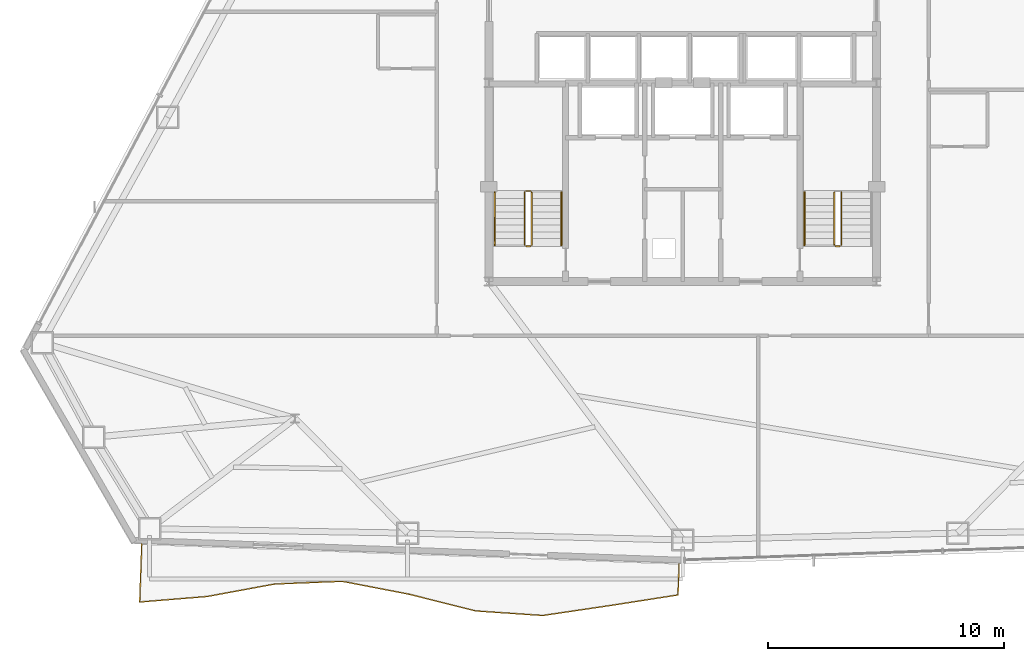
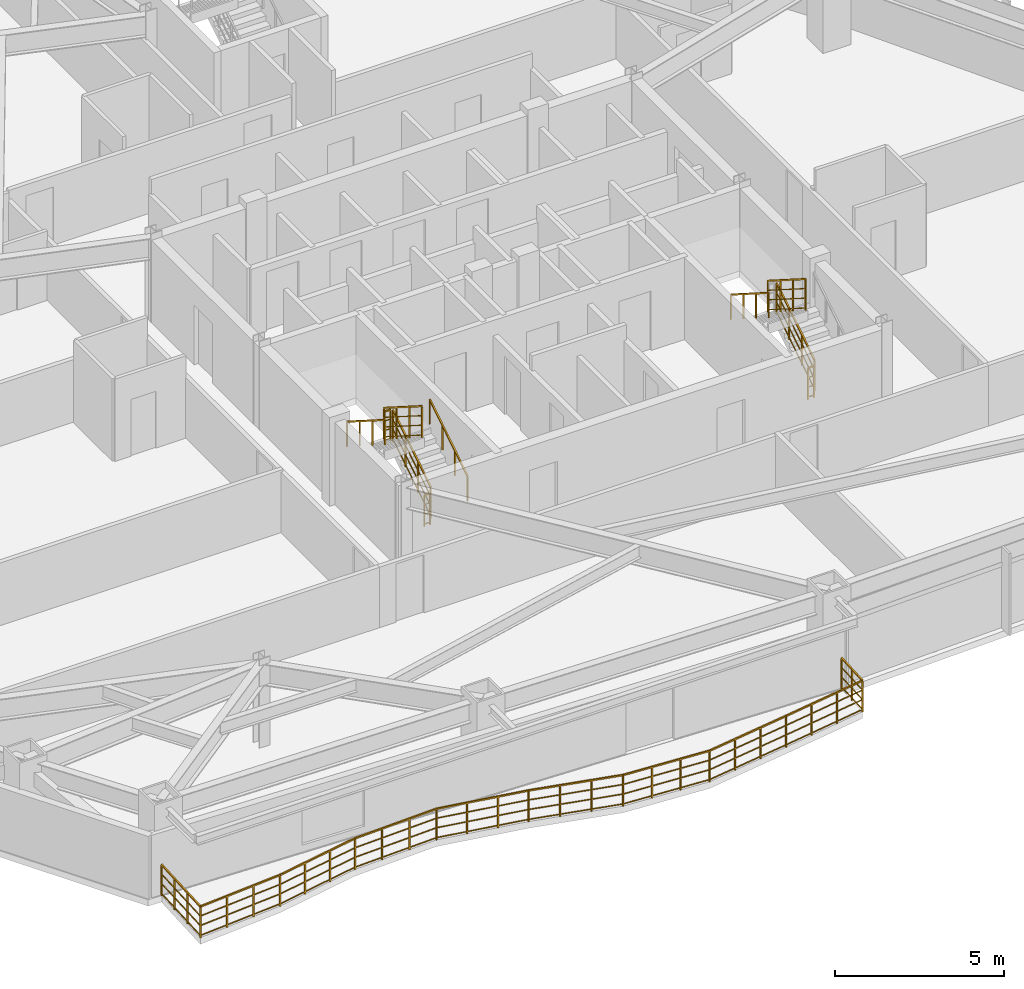
# One storey, part 12 of 13: 20 railings.
"""IFC4 building model written with IfcOpenShell, lengths in metres."""

import ifcopenshell
import ifcopenshell.guid

model = None  # the IFC model being written
_history = None  # IfcOwnerHistory: only IFC2X3 demands one
_inside = {}  # id of a spatial element -> (the spatial element, [elements in it])
_under = {}  # id of a project, library or spatial element -> (it, [spatial elements below it])
_declared = {}  # id of a project -> (the project, [libraries it declares])
_typed = {}  # id of a type object -> (the type object, [elements of that type])
_made_of = {}  # id of a material, layer set ... -> (it, [elements and type objects made of it])


def new_model(schema):
    """Start an empty IFC model of exactly this schema.

    Asked for "IFC4X3", IfcOpenShell would pick the latest addendum, in which some entities
    have other attributes; the version numbers below select the first issue.
    IFC2X3 requires an IfcOwnerHistory on every rooted entity: one is made here for all.
    """
    global model, _history
    if schema == "IFC4X3":
        model = ifcopenshell.file(schema_version=(4, 3, 0, 0))
    else:
        model = ifcopenshell.file(schema=schema)
    _inside.clear()
    _under.clear()
    _declared.clear()
    _typed.clear()
    _made_of.clear()
    _history = None
    if model.schema == "IFC2X3":
        org = make("IfcOrganization", Name="unknown")
        user = make(
            "IfcPersonAndOrganization",
            ThePerson=make("IfcPerson", FamilyName="unknown"),
            TheOrganization=org,
        )
        app = make(
            "IfcApplication",
            ApplicationDeveloper=org,
            Version="unknown",
            ApplicationFullName="unknown",
            ApplicationIdentifier="unknown",
        )
        _history = make(
            "IfcOwnerHistory",
            OwningUser=user,
            OwningApplication=app,
            ChangeAction="ADDED",
            CreationDate=0,
        )
    return model


def make(cls, **values):
    """One entity of the class cls with the attributes given. An attribute that is None is left unset."""
    return model.create_entity(
        cls, **{name: value for name, value in values.items() if value is not None}
    )


def rooted(cls, **values):
    """An entity with a GlobalId (a new one), such as an element, a storey or a relation."""
    return make(cls, GlobalId=ifcopenshell.guid.new(), OwnerHistory=_history, **values)


def si_unit(unit_type, name, prefix=None):
    """IfcSIUnit, for example si_unit("LENGTHUNIT", "METRE", prefix="MILLI")."""
    return make("IfcSIUnit", UnitType=unit_type, Prefix=prefix, Name=name)


def assignment(units):
    """IfcUnitAssignment: the units of a project."""
    return None if units is None else make("IfcUnitAssignment", Units=units)


def point(xyz):
    """IfcCartesianPoint."""
    return None if xyz is None else make("IfcCartesianPoint", Coordinates=xyz)


def direction(xyz):
    """IfcDirection."""
    return None if xyz is None else make("IfcDirection", DirectionRatios=xyz)


def frame(location, z_axis=None, x_axis=None):
    """IfcAxis2Placement3D, a coordinate frame: its origin and axes. An axis left out is left unset."""
    return make(
        "IfcAxis2Placement3D",
        Location=point(location),
        Axis=direction(z_axis),
        RefDirection=direction(x_axis),
    )


def frame_2d(location, x_axis=None):
    """IfcAxis2Placement2D, a coordinate frame in the plane: its origin and x axis."""
    return make(
        "IfcAxis2Placement2D", Location=point(location), RefDirection=direction(x_axis)
    )


def origin():
    """The frame at (0, 0, 0) with its axes left unset."""
    return frame((0.0, 0.0, 0.0))


def origin_2d():
    """The frame at (0, 0) in the plane with its x axis left unset."""
    return frame_2d((0.0, 0.0))


def place(relative_to, where):
    """IfcLocalPlacement: puts the frame where relative to a parent placement (None: the world)."""
    return make(
        "IfcLocalPlacement", PlacementRelTo=relative_to, RelativePlacement=where
    )


def context(
    kind, dimensions, precision=None, world=None, true_north=None, identifier=None
):
    """IfcGeometricRepresentationContext, for example the 3D "Model" context."""
    return make(
        "IfcGeometricRepresentationContext",
        ContextIdentifier=identifier,
        ContextType=kind,
        CoordinateSpaceDimension=dimensions,
        Precision=precision,
        WorldCoordinateSystem=world,
        TrueNorth=true_north,
    )


def subcontext(parent, identifier, kind, view, scale=None):
    """IfcGeometricRepresentationSubContext, for example "Body" below "Model"."""
    return make(
        "IfcGeometricRepresentationSubContext",
        ContextIdentifier=identifier,
        ContextType=kind,
        ParentContext=parent,
        TargetScale=scale,
        TargetView=view,
    )


def project(units=None, contexts=None):
    """IfcProject with its units and contexts."""
    return rooted(
        "IfcProject",
        Name="project",
        RepresentationContexts=contexts,
        UnitsInContext=assignment(units),
    )


def spatial(cls, under=None, at=None, **own):
    """A site, building, storey or space (cls), placed at a placement, below another one or the project."""
    s = rooted(cls, ObjectPlacement=at, **own)
    if under is not None:
        _under.setdefault(under.id(), (under, []))[1].append(s)
    return s


def profile(cls, at=None, kind="AREA", **sizes):
    """A parametric profile (cls). Its sizes go by their IFC names, for example OverallWidth=200.0."""
    return make(cls, ProfileType=kind, Position=at, **sizes)


def rectangle(**sizes):
    """IfcRectangleProfileDef."""
    return profile("IfcRectangleProfileDef", **sizes)


def extrude(swept, where, along, depth):
    """IfcExtrudedAreaSolid: the profile swept, set in the frame where, extruded along a direction by depth."""
    return make(
        "IfcExtrudedAreaSolid",
        SweptArea=swept,
        Position=where,
        ExtrudedDirection=direction(along),
        Depth=depth,
    )


def shape(context_of_items, identifier, shape_type, items):
    """IfcShapeRepresentation: the items that make up one representation, for example the "Body"."""
    return make(
        "IfcShapeRepresentation",
        ContextOfItems=context_of_items,
        RepresentationIdentifier=identifier,
        RepresentationType=shape_type,
        Items=items,
    )


def material(Name=None, Category=None):
    """IfcMaterial."""
    return make("IfcMaterial", Name=Name, Category=Category)


def made_of(thing, what):
    """Note that an element or type object is made of a material, layer set ...; save() writes the relation."""
    if what is not None:
        _made_of.setdefault(what.id(), (what, []))[1].append(thing)
    return thing


def type_object(cls, material=None, **own):
    """A type object (cls), such as IfcWallType, which elements share."""
    return made_of(rooted(cls, **own), material)


def element(
    cls,
    number,
    at=None,
    inside=None,
    cuts=None,
    type_object=None,
    material=None,
    context=None,
    identifier="Body",
    shape_type=None,
    held_by="IfcProductDefinitionShape",
    body=None,
    shapes=None,
    **own,
):
    """One element of the class cls, such as IfcWall. Its Tag is "e" and its number.

    at: its placement. inside: the storey or other place that contains it. cuts: it is an
    opening in that element (IfcRelVoidsElement). A single representation is given by context,
    identifier, shape_type and body (its items); several are given by shapes. held_by: the class
    of the entity that holds the representations. save() writes the other relations.
    """
    e = rooted(cls, Tag="e%d" % number, ObjectPlacement=at, **own)
    if body is not None:
        shapes = [shape(context, identifier, shape_type, body)]
    if shapes is not None:
        e.Representation = make(held_by, Representations=shapes)
    if inside is not None:
        _inside.setdefault(inside.id(), (inside, []))[1].append(e)
    if cuts is not None:
        rooted(
            "IfcRelVoidsElement", RelatingBuildingElement=cuts, RelatedOpeningElement=e
        )
    if type_object is not None:
        _typed.setdefault(type_object.id(), (type_object, []))[1].append(e)
    return made_of(e, material)


def aggregate(whole, parts):
    """IfcRelAggregates: a whole, such as a stair, and the parts it consists of."""
    return rooted("IfcRelAggregates", RelatingObject=whole, RelatedObjects=parts)


def save(model, path):
    """Write the relations noted so far, then the file.

    IfcRelAggregates (storeys below a building ...), IfcRelContainedInSpatialStructure (elements
    in a storey), IfcRelDefinesByType, IfcRelAssociatesMaterial and IfcRelDeclares: one each for
    every whole, place, type object, material and project.
    """
    for whole, parts in _under.values():
        aggregate(whole, parts)
    for where, things in _inside.values():
        rooted(
            "IfcRelContainedInSpatialStructure",
            RelatedElements=things,
            RelatingStructure=where,
        )
    for kind, things in _typed.values():
        rooted("IfcRelDefinesByType", RelatedObjects=things, RelatingType=kind)
    for what, things in _made_of.values():
        rooted("IfcRelAssociatesMaterial", RelatedObjects=things, RelatingMaterial=what)
    for by, libraries in _declared.values():
        rooted("IfcRelDeclares", RelatingContext=by, RelatedDefinitions=libraries)
    model.write(path)


model = new_model("IFC4")

# Units and contexts
model_context = context("Model", 3, precision=1e-05, world=origin(), true_north=direction((0.0, 1.0)))
body_context = subcontext(model_context, "Body", "Model", "MODEL_VIEW")
ifc_project = project(units=[si_unit("LENGTHUNIT", "METRE"), si_unit("AREAUNIT", "SQUARE_METRE"), si_unit("VOLUMEUNIT", "CUBIC_METRE"), si_unit("PLANEANGLEUNIT", "RADIAN"), si_unit("MASSUNIT", "GRAM", prefix="KILO")], contexts=[model_context])

# Site, building, storey
site_placement = place(None, origin())
site = spatial("IfcSite", under=ifc_project, at=site_placement, CompositionType="ELEMENT")
building_placement = place(site_placement, origin())
building = spatial("IfcBuilding", under=site, at=building_placement, Name="Varakhsha Concourse Tower", CompositionType="ELEMENT")
storey_placement = place(building_placement, frame((0.0, 0.0, 99.0)))
storey = spatial("IfcBuildingStorey", under=building, at=storey_placement, Name="L28", CompositionType="ELEMENT", Elevation=99.0)

# Railings
ifc_material_1 = material(Name="Laminated Structural Low-Iron Glass 52 mm", Category="glass")
railing_type_1 = type_object("IfcRailingType", Name="RL-BALUSTRADE-1150", PredefinedType="BALUSTRADE", material=ifc_material_1)
railing_1_placement = place(storey_placement, frame((17.114013671875, 5.28369140625, 0.0)))
element("IfcRailing", 1, at=railing_1_placement, inside=storey, type_object=railing_type_1, Name="L28 Perimeter Safety Balustrade RL-LOG-L28-01", PredefinedType="BALUSTRADE", context=body_context, shape_type="SweptSolid", body=[
    extrude(rectangle(XDim=0.048095703125, YDim=0.048095703125, at=origin_2d()), frame((0.0, 0.0, 1.1259765625), z_axis=(-0.036469889256, -0.999334752312, 0.0), x_axis=(0.999334752312, -0.036469889256, 0.0)), (0.0, 0.0, 1.0), 2.4501953125),
    extrude(rectangle(XDim=0.028076171875, YDim=0.028076171875, at=origin_2d()), frame((0.0, 0.0, 0.080078125), z_axis=(-0.036469889256, -0.999334752312, 0.0), x_axis=(0.999334752312, -0.036469889256, 0.0)), (0.0, 0.0, 1.0), 2.4501953125),
    extrude(rectangle(XDim=0.028076171875, YDim=0.028076171875, at=origin_2d()), frame((0.0, 0.0, 0.43701171875), z_axis=(-0.036469889256, -0.999334752312, 0.0), x_axis=(0.999334752312, -0.036469889256, 0.0)), (0.0, 0.0, 1.0), 2.4501953125),
    extrude(rectangle(XDim=0.028076171875, YDim=0.028076171875, at=origin_2d()), frame((0.0, 0.0, 0.781982421875), z_axis=(-0.036469889256, -0.999334752312, 0.0), x_axis=(0.999334752312, -0.036469889256, 0.0)), (0.0, 0.0, 1.0), 2.4501953125),
    extrude(rectangle(XDim=0.0419921875, YDim=0.0419921875, at=origin_2d()), origin(), (0.0, 0.0, 1.0), 1.101806640625),
    extrude(rectangle(XDim=0.0419921875, YDim=0.0419921875, at=origin_2d()), frame((-0.02978515625, -0.816162109375, 0.0)), (0.0, 0.0, 1.0), 1.101806640625),
    extrude(rectangle(XDim=0.0419921875, YDim=0.0419921875, at=origin_2d()), frame((-0.0595703125, -1.63232421875, 0.0)), (0.0, 0.0, 1.0), 1.101806640625),
    extrude(rectangle(XDim=0.0419921875, YDim=0.0419921875, at=origin_2d()), frame((-0.08935546875, -2.448486328125, 0.0)), (0.0, 0.0, 1.0), 1.101806640625),
])
railing_2_placement = place(storey_placement, frame((17.024658203125, 2.835205078125, 0.0)))
element("IfcRailing", 2, at=railing_2_placement, inside=storey, type_object=railing_type_1, Name="L28 Perimeter Safety Balustrade RL-LOG-L28-02", PredefinedType="BALUSTRADE", context=body_context, shape_type="SweptSolid", body=[
    extrude(rectangle(XDim=0.048095703125, YDim=0.048095703125, at=origin_2d()), frame((0.0, 0.0, 1.1259765625), z_axis=(0.99668024068, 0.081415587191, 0.0), x_axis=(-0.081415587191, 0.99668024068, 0.0)), (0.0, 0.0, 1.0), 2.86376953125),
    extrude(rectangle(XDim=0.028076171875, YDim=0.028076171875, at=origin_2d()), frame((0.0, 0.0, 0.080078125), z_axis=(0.99668024068, 0.081415587191, 0.0), x_axis=(-0.081415587191, 0.99668024068, 0.0)), (0.0, 0.0, 1.0), 2.86376953125),
    extrude(rectangle(XDim=0.028076171875, YDim=0.028076171875, at=origin_2d()), frame((0.0, 0.0, 0.43701171875), z_axis=(0.99668024068, 0.081415587191, 0.0), x_axis=(-0.081415587191, 0.99668024068, 0.0)), (0.0, 0.0, 1.0), 2.86376953125),
    extrude(rectangle(XDim=0.028076171875, YDim=0.028076171875, at=origin_2d()), frame((0.0, 0.0, 0.781982421875), z_axis=(0.99668024068, 0.081415587191, 0.0), x_axis=(-0.081415587191, 0.99668024068, 0.0)), (0.0, 0.0, 1.0), 2.86376953125),
    extrude(rectangle(XDim=0.0419921875, YDim=0.0419921875, at=origin_2d()), origin(), (0.0, 0.0, 1.0), 1.101806640625),
    extrude(rectangle(XDim=0.0419921875, YDim=0.0419921875, at=origin_2d()), frame((0.951416015625, 0.07763671875, 0.0)), (0.0, 0.0, 1.0), 1.101806640625),
    extrude(rectangle(XDim=0.0419921875, YDim=0.0419921875, at=origin_2d()), frame((1.90283203125, 0.155517578125, 0.0)), (0.0, 0.0, 1.0), 1.101806640625),
    extrude(rectangle(XDim=0.0419921875, YDim=0.0419921875, at=origin_2d()), frame((2.854248046875, 0.233154296875, 0.0)), (0.0, 0.0, 1.0), 1.101806640625),
])
railing_3_placement = place(storey_placement, frame((19.87890625, 3.068359375, 0.0)))
element("IfcRailing", 3, at=railing_3_placement, inside=storey, type_object=railing_type_1, Name="L28 Perimeter Safety Balustrade RL-LOG-L28-03", PredefinedType="BALUSTRADE", context=body_context, shape_type="SweptSolid", body=[
    extrude(rectangle(XDim=0.048095703125, YDim=0.048095703125, at=origin_2d()), frame((0.0, 0.0, 1.1259765625), z_axis=(0.983418987861, 0.181347992308, 0.0), x_axis=(-0.181347992308, 0.983418987861, 0.0)), (0.0, 0.0, 1.0), 2.913330078125),
    extrude(rectangle(XDim=0.028076171875, YDim=0.028076171875, at=origin_2d()), frame((0.0, 0.0, 0.080078125), z_axis=(0.983418987861, 0.181347992308, 0.0), x_axis=(-0.181347992308, 0.983418987861, 0.0)), (0.0, 0.0, 1.0), 2.913330078125),
    extrude(rectangle(XDim=0.028076171875, YDim=0.028076171875, at=origin_2d()), frame((0.0, 0.0, 0.43701171875), z_axis=(0.983418987861, 0.181347992308, 0.0), x_axis=(-0.181347992308, 0.983418987861, 0.0)), (0.0, 0.0, 1.0), 2.913330078125),
    extrude(rectangle(XDim=0.028076171875, YDim=0.028076171875, at=origin_2d()), frame((0.0, 0.0, 0.781982421875), z_axis=(0.983418987861, 0.181347992308, 0.0), x_axis=(-0.181347992308, 0.983418987861, 0.0)), (0.0, 0.0, 1.0), 2.913330078125),
    extrude(rectangle(XDim=0.0419921875, YDim=0.0419921875, at=origin_2d()), origin(), (0.0, 0.0, 1.0), 1.101806640625),
    extrude(rectangle(XDim=0.0419921875, YDim=0.0419921875, at=origin_2d()), frame((0.955078125, 0.176025390625, 0.0)), (0.0, 0.0, 1.0), 1.101806640625),
    extrude(rectangle(XDim=0.0419921875, YDim=0.0419921875, at=origin_2d()), frame((1.909912109375, 0.352294921875, 0.0)), (0.0, 0.0, 1.0), 1.101806640625),
    extrude(rectangle(XDim=0.0419921875, YDim=0.0419921875, at=origin_2d()), frame((2.864990234375, 0.5283203125, 0.0)), (0.0, 0.0, 1.0), 1.101806640625),
])
railing_4_placement = place(storey_placement, frame((22.743896484375, 3.5966796875, 0.0)))
element("IfcRailing", 4, at=railing_4_placement, inside=storey, type_object=railing_type_1, Name="L28 Perimeter Safety Balustrade RL-LOG-L28-04", PredefinedType="BALUSTRADE", context=body_context, shape_type="SweptSolid", body=[
    extrude(rectangle(XDim=0.048095703125, YDim=0.048095703125, at=origin_2d()), frame((0.0, 0.0, 1.1259765625), z_axis=(0.999200821988, 0.039971456559, 0.0), x_axis=(-0.039971456559, 0.999200821988, 0.0)), (0.0, 0.0, 1.0), 2.852294921875),
    extrude(rectangle(XDim=0.028076171875, YDim=0.028076171875, at=origin_2d()), frame((0.0, 0.0, 0.080078125), z_axis=(0.999200821988, 0.039971456559, 0.0), x_axis=(-0.039971456559, 0.999200821988, 0.0)), (0.0, 0.0, 1.0), 2.852294921875),
    extrude(rectangle(XDim=0.028076171875, YDim=0.028076171875, at=origin_2d()), frame((0.0, 0.0, 0.43701171875), z_axis=(0.999200821988, 0.039971456559, 0.0), x_axis=(-0.039971456559, 0.999200821988, 0.0)), (0.0, 0.0, 1.0), 2.852294921875),
    extrude(rectangle(XDim=0.028076171875, YDim=0.028076171875, at=origin_2d()), frame((0.0, 0.0, 0.781982421875), z_axis=(0.999200821988, 0.039971456559, 0.0), x_axis=(-0.039971456559, 0.999200821988, 0.0)), (0.0, 0.0, 1.0), 2.852294921875),
    extrude(rectangle(XDim=0.0419921875, YDim=0.0419921875, at=origin_2d()), origin(), (0.0, 0.0, 1.0), 1.101806640625),
    extrude(rectangle(XDim=0.0419921875, YDim=0.0419921875, at=origin_2d()), frame((0.949951171875, 0.0380859375, 0.0)), (0.0, 0.0, 1.0), 1.101806640625),
    extrude(rectangle(XDim=0.0419921875, YDim=0.0419921875, at=origin_2d()), frame((1.900146484375, 0.075927734375, 0.0)), (0.0, 0.0, 1.0), 1.101806640625),
    extrude(rectangle(XDim=0.0419921875, YDim=0.0419921875, at=origin_2d()), frame((2.85009765625, 0.114013671875, 0.0)), (0.0, 0.0, 1.0), 1.101806640625),
])
railing_5_placement = place(storey_placement, frame((25.593994140625, 3.710693359375, 0.0)))
element("IfcRailing", 5, at=railing_5_placement, inside=storey, type_object=railing_type_1, Name="L28 Perimeter Safety Balustrade RL-LOG-L28-05", PredefinedType="BALUSTRADE", context=body_context, shape_type="SweptSolid", body=[
    extrude(rectangle(XDim=0.048095703125, YDim=0.048095703125, at=origin_2d()), frame((0.0, 0.0, 1.1259765625), z_axis=(0.981927095467, -0.189259555075, 0.0), x_axis=(0.189259555075, 0.981927095467, 0.0)), (0.0, 0.0, 1.0), 2.8779296875),
    extrude(rectangle(XDim=0.028076171875, YDim=0.028076171875, at=origin_2d()), frame((0.0, 0.0, 0.080078125), z_axis=(0.981927095467, -0.189259555075, 0.0), x_axis=(0.189259555075, 0.981927095467, 0.0)), (0.0, 0.0, 1.0), 2.8779296875),
    extrude(rectangle(XDim=0.028076171875, YDim=0.028076171875, at=origin_2d()), frame((0.0, 0.0, 0.43701171875), z_axis=(0.981927095467, -0.189259555075, 0.0), x_axis=(0.189259555075, 0.981927095467, 0.0)), (0.0, 0.0, 1.0), 2.8779296875),
    extrude(rectangle(XDim=0.028076171875, YDim=0.028076171875, at=origin_2d()), frame((0.0, 0.0, 0.781982421875), z_axis=(0.981927095467, -0.189259555075, 0.0), x_axis=(0.189259555075, 0.981927095467, 0.0)), (0.0, 0.0, 1.0), 2.8779296875),
    extrude(rectangle(XDim=0.0419921875, YDim=0.0419921875, at=origin_2d()), origin(), (0.0, 0.0, 1.0), 1.101806640625),
    extrude(rectangle(XDim=0.0419921875, YDim=0.0419921875, at=origin_2d()), frame((0.94189453125, -0.181640625, 0.0)), (0.0, 0.0, 1.0), 1.101806640625),
    extrude(rectangle(XDim=0.0419921875, YDim=0.0419921875, at=origin_2d()), frame((1.884033203125, -0.363037109375, 0.0)), (0.0, 0.0, 1.0), 1.101806640625),
    extrude(rectangle(XDim=0.0419921875, YDim=0.0419921875, at=origin_2d()), frame((2.825927734375, -0.544677734375, 0.0)), (0.0, 0.0, 1.0), 1.101806640625),
])
railing_6_placement = place(storey_placement, frame((28.419921875, 3.166015625, 0.0)))
element("IfcRailing", 6, at=railing_6_placement, inside=storey, type_object=railing_type_1, Name="L28 Perimeter Safety Balustrade RL-LOG-L28-06", PredefinedType="BALUSTRADE", context=body_context, shape_type="SweptSolid", body=[
    extrude(rectangle(XDim=0.048095703125, YDim=0.048095703125, at=origin_2d()), frame((0.0, 0.0, 1.1259765625), z_axis=(0.969899995302, -0.243503591583, 0.0), x_axis=(0.243503591583, 0.969899995302, 0.0)), (0.0, 0.0, 1.0), 2.907470703125),
    extrude(rectangle(XDim=0.028076171875, YDim=0.028076171875, at=origin_2d()), frame((0.0, 0.0, 0.080078125), z_axis=(0.969899995302, -0.243503591583, 0.0), x_axis=(0.243503591583, 0.969899995302, 0.0)), (0.0, 0.0, 1.0), 2.907470703125),
    extrude(rectangle(XDim=0.028076171875, YDim=0.028076171875, at=origin_2d()), frame((0.0, 0.0, 0.43701171875), z_axis=(0.969899995302, -0.243503591583, 0.0), x_axis=(0.243503591583, 0.969899995302, 0.0)), (0.0, 0.0, 1.0), 2.907470703125),
    extrude(rectangle(XDim=0.028076171875, YDim=0.028076171875, at=origin_2d()), frame((0.0, 0.0, 0.781982421875), z_axis=(0.969899995302, -0.243503591583, 0.0), x_axis=(0.243503591583, 0.969899995302, 0.0)), (0.0, 0.0, 1.0), 2.907470703125),
    extrude(rectangle(XDim=0.0419921875, YDim=0.0419921875, at=origin_2d()), origin(), (0.0, 0.0, 1.0), 1.101806640625),
    extrude(rectangle(XDim=0.0419921875, YDim=0.0419921875, at=origin_2d()), frame((0.93994140625, -0.236083984375, 0.0)), (0.0, 0.0, 1.0), 1.101806640625),
    extrude(rectangle(XDim=0.0419921875, YDim=0.0419921875, at=origin_2d()), frame((1.880126953125, -0.471923828125, 0.0)), (0.0, 0.0, 1.0), 1.101806640625),
    extrude(rectangle(XDim=0.0419921875, YDim=0.0419921875, at=origin_2d()), frame((2.820068359375, -0.7080078125, 0.0)), (0.0, 0.0, 1.0), 1.101806640625),
])
railing_7_placement = place(storey_placement, frame((31.239990234375, 2.4580078125, 0.0)))
element("IfcRailing", 7, at=railing_7_placement, inside=storey, type_object=railing_type_1, Name="L28 Perimeter Safety Balustrade RL-LOG-L28-07", PredefinedType="BALUSTRADE", context=body_context, shape_type="SweptSolid", body=[
    extrude(rectangle(XDim=0.048095703125, YDim=0.048095703125, at=origin_2d()), frame((0.0, 0.0, 1.1259765625), z_axis=(0.997705479641, -0.067703588495, 0.0), x_axis=(0.067703588495, 0.997705479641, 0.0)), (0.0, 0.0, 1.0), 2.84521484375),
    extrude(rectangle(XDim=0.028076171875, YDim=0.028076171875, at=origin_2d()), frame((0.0, 0.0, 0.080078125), z_axis=(0.997705479641, -0.067703588495, 0.0), x_axis=(0.067703588495, 0.997705479641, 0.0)), (0.0, 0.0, 1.0), 2.84521484375),
    extrude(rectangle(XDim=0.028076171875, YDim=0.028076171875, at=origin_2d()), frame((0.0, 0.0, 0.43701171875), z_axis=(0.997705479641, -0.067703588495, 0.0), x_axis=(0.067703588495, 0.997705479641, 0.0)), (0.0, 0.0, 1.0), 2.84521484375),
    extrude(rectangle(XDim=0.028076171875, YDim=0.028076171875, at=origin_2d()), frame((0.0, 0.0, 0.781982421875), z_axis=(0.997705479641, -0.067703588495, 0.0), x_axis=(0.067703588495, 0.997705479641, 0.0)), (0.0, 0.0, 1.0), 2.84521484375),
    extrude(rectangle(XDim=0.0419921875, YDim=0.0419921875, at=origin_2d()), origin(), (0.0, 0.0, 1.0), 1.101806640625),
    extrude(rectangle(XDim=0.0419921875, YDim=0.0419921875, at=origin_2d()), frame((0.9462890625, -0.064208984375, 0.0)), (0.0, 0.0, 1.0), 1.101806640625),
    extrude(rectangle(XDim=0.0419921875, YDim=0.0419921875, at=origin_2d()), frame((1.892333984375, -0.12841796875, 0.0)), (0.0, 0.0, 1.0), 1.101806640625),
    extrude(rectangle(XDim=0.0419921875, YDim=0.0419921875, at=origin_2d()), frame((2.838623046875, -0.192626953125, 0.0)), (0.0, 0.0, 1.0), 1.101806640625),
])
railing_8_placement = place(storey_placement, frame((34.07861328125, 2.265380859375, 0.0)))
element("IfcRailing", 8, at=railing_8_placement, inside=storey, type_object=railing_type_1, Name="L28 Perimeter Safety Balustrade RL-LOG-L28-08", PredefinedType="BALUSTRADE", context=body_context, shape_type="SweptSolid", body=[
    extrude(rectangle(XDim=0.048095703125, YDim=0.048095703125, at=origin_2d()), frame((0.0, 0.0, 1.1259765625), z_axis=(0.989268173264, 0.146111195215, 0.0), x_axis=(-0.146111195215, 0.989268173264, 0.0)), (0.0, 0.0, 1.0), 2.892333984375),
    extrude(rectangle(XDim=0.028076171875, YDim=0.028076171875, at=origin_2d()), frame((0.0, 0.0, 0.080078125), z_axis=(0.989268173264, 0.146111195215, 0.0), x_axis=(-0.146111195215, 0.989268173264, 0.0)), (0.0, 0.0, 1.0), 2.892333984375),
    extrude(rectangle(XDim=0.028076171875, YDim=0.028076171875, at=origin_2d()), frame((0.0, 0.0, 0.43701171875), z_axis=(0.989268173264, 0.146111195215, 0.0), x_axis=(-0.146111195215, 0.989268173264, 0.0)), (0.0, 0.0, 1.0), 2.892333984375),
    extrude(rectangle(XDim=0.028076171875, YDim=0.028076171875, at=origin_2d()), frame((0.0, 0.0, 0.781982421875), z_axis=(0.989268173264, 0.146111195215, 0.0), x_axis=(-0.146111195215, 0.989268173264, 0.0)), (0.0, 0.0, 1.0), 2.892333984375),
    extrude(rectangle(XDim=0.0419921875, YDim=0.0419921875, at=origin_2d()), origin(), (0.0, 0.0, 1.0), 1.101806640625),
    extrude(rectangle(XDim=0.0419921875, YDim=0.0419921875, at=origin_2d()), frame((0.953857421875, 0.140869140625, 0.0)), (0.0, 0.0, 1.0), 1.101806640625),
    extrude(rectangle(XDim=0.0419921875, YDim=0.0419921875, at=origin_2d()), frame((1.907470703125, 0.28173828125, 0.0)), (0.0, 0.0, 1.0), 1.101806640625),
    extrude(rectangle(XDim=0.0419921875, YDim=0.0419921875, at=origin_2d()), frame((2.861328125, 0.422607421875, 0.0)), (0.0, 0.0, 1.0), 1.101806640625),
])
railing_9_placement = place(storey_placement, frame((36.93994140625, 2.68798828125, 0.0)))
element("IfcRailing", 9, at=railing_9_placement, inside=storey, type_object=railing_type_1, Name="L28 Perimeter Safety Balustrade RL-LOG-L28-09", PredefinedType="BALUSTRADE", context=body_context, shape_type="SweptSolid", body=[
    extrude(rectangle(XDim=0.048095703125, YDim=0.048095703125, at=origin_2d()), frame((0.0, 0.0, 1.1259765625), z_axis=(0.988021271512, 0.154317747005, 0.0), x_axis=(-0.154317747005, 0.988021271512, 0.0)), (0.0, 0.0, 1.0), 2.896728515625),
    extrude(rectangle(XDim=0.028076171875, YDim=0.028076171875, at=origin_2d()), frame((0.0, 0.0, 0.080078125), z_axis=(0.988021271512, 0.154317747005, 0.0), x_axis=(-0.154317747005, 0.988021271512, 0.0)), (0.0, 0.0, 1.0), 2.896728515625),
    extrude(rectangle(XDim=0.028076171875, YDim=0.028076171875, at=origin_2d()), frame((0.0, 0.0, 0.43701171875), z_axis=(0.988021271512, 0.154317747005, 0.0), x_axis=(-0.154317747005, 0.988021271512, 0.0)), (0.0, 0.0, 1.0), 2.896728515625),
    extrude(rectangle(XDim=0.028076171875, YDim=0.028076171875, at=origin_2d()), frame((0.0, 0.0, 0.781982421875), z_axis=(0.988021271512, 0.154317747005, 0.0), x_axis=(-0.154317747005, 0.988021271512, 0.0)), (0.0, 0.0, 1.0), 2.896728515625),
    extrude(rectangle(XDim=0.0419921875, YDim=0.0419921875, at=origin_2d()), origin(), (0.0, 0.0, 1.0), 1.101806640625),
    extrude(rectangle(XDim=0.0419921875, YDim=0.0419921875, at=origin_2d()), frame((0.9541015625, 0.14892578125, 0.0)), (0.0, 0.0, 1.0), 1.101806640625),
    extrude(rectangle(XDim=0.0419921875, YDim=0.0419921875, at=origin_2d()), frame((1.907958984375, 0.298095703125, 0.0)), (0.0, 0.0, 1.0), 1.101806640625),
    extrude(rectangle(XDim=0.0419921875, YDim=0.0419921875, at=origin_2d()), frame((2.862060546875, 0.447021484375, 0.0)), (0.0, 0.0, 1.0), 1.101806640625),
])
railing_10_placement = place(storey_placement, frame((39.802001953125, 3.135009765625, 0.0)))
element("IfcRailing", 10, at=railing_10_placement, inside=storey, type_object=railing_type_1, Name="L28 Perimeter Safety Balustrade RL-LOG-L28-10", PredefinedType="BALUSTRADE", context=body_context, shape_type="SweptSolid", body=[
    extrude(rectangle(XDim=0.048095703125, YDim=0.048095703125, at=origin_2d()), frame((0.0, 0.0, 1.1259765625), z_axis=(0.036410093535, 0.999336932715, 0.0), x_axis=(-0.999336932715, 0.036410093535, 0.0)), (0.0, 0.0, 1.0), 1.321044921875),
    extrude(rectangle(XDim=0.028076171875, YDim=0.028076171875, at=origin_2d()), frame((0.0, 0.0, 0.080078125), z_axis=(0.036410093535, 0.999336932715, 0.0), x_axis=(-0.999336932715, 0.036410093535, 0.0)), (0.0, 0.0, 1.0), 1.321044921875),
    extrude(rectangle(XDim=0.028076171875, YDim=0.028076171875, at=origin_2d()), frame((0.0, 0.0, 0.43701171875), z_axis=(0.036410093535, 0.999336932715, 0.0), x_axis=(-0.999336932715, 0.036410093535, 0.0)), (0.0, 0.0, 1.0), 1.321044921875),
    extrude(rectangle(XDim=0.028076171875, YDim=0.028076171875, at=origin_2d()), frame((0.0, 0.0, 0.781982421875), z_axis=(0.036410093535, 0.999336932715, 0.0), x_axis=(-0.999336932715, 0.036410093535, 0.0)), (0.0, 0.0, 1.0), 1.321044921875),
    extrude(rectangle(XDim=0.0419921875, YDim=0.0419921875, at=origin_2d()), origin(), (0.0, 0.0, 1.0), 1.101806640625),
    extrude(rectangle(XDim=0.0419921875, YDim=0.0419921875, at=origin_2d()), frame((0.02392578125, 0.66015625, 0.0)), (0.0, 0.0, 1.0), 1.101806640625),
    extrude(rectangle(XDim=0.0419921875, YDim=0.0419921875, at=origin_2d()), frame((0.048095703125, 1.320068359375, 0.0)), (0.0, 0.0, 1.0), 1.101806640625),
])
ifc_material_2 = material(Name="Brushed Austenitic Stainless Steel AISI 316", Category="steel")
railing_type_2 = type_object("IfcRailingType", Name="RL-STAIR-GUARD-1100", PredefinedType="GUARDRAIL", material=ifc_material_2)
railing_11_placement = place(storey_placement, frame((33.610107421875, 17.93994140625, 0.177734375)))
element("IfcRailing", 11, at=railing_11_placement, inside=storey, type_object=railing_type_2, Name="L28 ST1 stair guard 1", PredefinedType="GUARDRAIL", context=body_context, shape_type="SweptSolid", body=[
    extrude(rectangle(XDim=0.048095703125, YDim=0.048095703125, at=origin_2d()), frame((0.0, 0.0, 1.1259765625), z_axis=(0.0, 0.84418770128, 0.536047689118), x_axis=(-1.0, 0.0, 0.0)), (0.0, 0.0, 1.0), 2.6533203125),
    extrude(rectangle(XDim=0.028076171875, YDim=0.028076171875, at=origin_2d()), frame((0.0, 0.0, 0.080078125), z_axis=(0.0, 0.84418770128, 0.536047689118), x_axis=(-1.0, 0.0, 0.0)), (0.0, 0.0, 1.0), 2.6533203125),
    extrude(rectangle(XDim=0.028076171875, YDim=0.028076171875, at=origin_2d()), frame((0.0, 0.0, 0.43701171875), z_axis=(0.0, 0.84418770128, 0.536047689118), x_axis=(-1.0, 0.0, 0.0)), (0.0, 0.0, 1.0), 2.6533203125),
    extrude(rectangle(XDim=0.028076171875, YDim=0.028076171875, at=origin_2d()), frame((0.0, 0.0, 0.781982421875), z_axis=(0.0, 0.84418770128, 0.536047689118), x_axis=(-1.0, 0.0, 0.0)), (0.0, 0.0, 1.0), 2.6533203125),
    extrude(rectangle(XDim=0.0419921875, YDim=0.0419921875, at=origin_2d()), origin(), (0.0, 0.0, 1.0), 1.101806640625),
    extrude(rectangle(XDim=0.0419921875, YDim=0.0419921875, at=origin_2d()), frame((0.0, 0.74658203125, 0.47412109375)), (0.0, 0.0, 1.0), 1.101806640625),
    extrude(rectangle(XDim=0.0419921875, YDim=0.0419921875, at=origin_2d()), frame((0.0, 1.493408203125, 0.9482421875)), (0.0, 0.0, 1.0), 1.101806640625),
    extrude(rectangle(XDim=0.0419921875, YDim=0.0419921875, at=origin_2d()), frame((0.0, 2.239990234375, 1.42236328125)), (0.0, 0.0, 1.0), 1.101806640625),
])
railing_12_placement = place(storey_placement, frame((33.56005859375, 20.22998046875, 1.60009765625)))
element("IfcRailing", 12, at=railing_12_placement, inside=storey, type_object=railing_type_2, Name="L28 ST1 stair guard 2", PredefinedType="GUARDRAIL", context=body_context, shape_type="SweptSolid", body=[
    extrude(rectangle(XDim=0.048095703125, YDim=0.048095703125, at=origin_2d()), frame((0.0, 0.0, 1.1259765625), z_axis=(-1.0, 0.0, 0.0), x_axis=(0.0, -1.0, 0.0)), (0.0, 0.0, 1.0), 0.199951171875),
    extrude(rectangle(XDim=0.028076171875, YDim=0.028076171875, at=origin_2d()), frame((0.0, 0.0, 0.080078125), z_axis=(-1.0, 0.0, 0.0), x_axis=(0.0, -1.0, 0.0)), (0.0, 0.0, 1.0), 0.199951171875),
    extrude(rectangle(XDim=0.028076171875, YDim=0.028076171875, at=origin_2d()), frame((0.0, 0.0, 0.43701171875), z_axis=(-1.0, 0.0, 0.0), x_axis=(0.0, -1.0, 0.0)), (0.0, 0.0, 1.0), 0.199951171875),
    extrude(rectangle(XDim=0.028076171875, YDim=0.028076171875, at=origin_2d()), frame((0.0, 0.0, 0.781982421875), z_axis=(-1.0, 0.0, 0.0), x_axis=(0.0, -1.0, 0.0)), (0.0, 0.0, 1.0), 0.199951171875),
    extrude(rectangle(XDim=0.0419921875, YDim=0.0419921875, at=origin_2d()), origin(), (0.0, 0.0, 1.0), 1.101806640625),
    extrude(rectangle(XDim=0.0419921875, YDim=0.0419921875, at=origin_2d()), frame((-0.199951171875, 0.0, 0.0)), (0.0, 0.0, 1.0), 1.101806640625),
])
railing_13_placement = place(storey_placement, frame((33.31005859375, 20.179931640625, 1.77783203125)))
element("IfcRailing", 13, at=railing_13_placement, inside=storey, type_object=railing_type_2, Name="L28 ST1 stair guard 3", PredefinedType="GUARDRAIL", context=body_context, shape_type="SweptSolid", body=[
    extrude(rectangle(XDim=0.048095703125, YDim=0.048095703125, at=origin_2d()), frame((0.0, 0.0, 1.1259765625), z_axis=(0.0, -0.8442293374, 0.53598211339), x_axis=(1.0, 0.0, 0.0)), (0.0, 0.0, 1.0), 2.6533203125),
    extrude(rectangle(XDim=0.028076171875, YDim=0.028076171875, at=origin_2d()), frame((0.0, 0.0, 0.080078125), z_axis=(0.0, -0.8442293374, 0.53598211339), x_axis=(1.0, 0.0, 0.0)), (0.0, 0.0, 1.0), 2.6533203125),
    extrude(rectangle(XDim=0.028076171875, YDim=0.028076171875, at=origin_2d()), frame((0.0, 0.0, 0.43701171875), z_axis=(0.0, -0.8442293374, 0.53598211339), x_axis=(1.0, 0.0, 0.0)), (0.0, 0.0, 1.0), 2.6533203125),
    extrude(rectangle(XDim=0.028076171875, YDim=0.028076171875, at=origin_2d()), frame((0.0, 0.0, 0.781982421875), z_axis=(0.0, -0.8442293374, 0.53598211339), x_axis=(1.0, 0.0, 0.0)), (0.0, 0.0, 1.0), 2.6533203125),
    extrude(rectangle(XDim=0.0419921875, YDim=0.0419921875, at=origin_2d()), origin(), (0.0, 0.0, 1.0), 1.101806640625),
    extrude(rectangle(XDim=0.0419921875, YDim=0.0419921875, at=origin_2d()), frame((0.0, -0.74658203125, 0.47412109375)), (0.0, 0.0, 1.0), 1.101806640625),
    extrude(rectangle(XDim=0.0419921875, YDim=0.0419921875, at=origin_2d()), frame((0.0, -1.493408203125, 0.947998046875)), (0.0, 0.0, 1.0), 1.101806640625),
    extrude(rectangle(XDim=0.0419921875, YDim=0.0419921875, at=origin_2d()), frame((0.0, -2.239990234375, 1.422119140625)), (0.0, 0.0, 1.0), 1.101806640625),
])
railing_14_placement = place(storey_placement, frame((33.56005859375, 17.889892578125, 0.0)))
element("IfcRailing", 14, at=railing_14_placement, inside=storey, type_object=railing_type_2, Name="L28 ST1 stair guard 4", PredefinedType="GUARDRAIL", context=body_context, shape_type="SweptSolid", body=[
    extrude(rectangle(XDim=0.048095703125, YDim=0.048095703125, at=origin_2d()), frame((0.0, 0.0, 1.1259765625), z_axis=(-1.0, 0.0, 0.0), x_axis=(0.0, -1.0, 0.0)), (0.0, 0.0, 1.0), 0.199951171875),
    extrude(rectangle(XDim=0.028076171875, YDim=0.028076171875, at=origin_2d()), frame((0.0, 0.0, 0.080078125), z_axis=(-1.0, 0.0, 0.0), x_axis=(0.0, -1.0, 0.0)), (0.0, 0.0, 1.0), 0.199951171875),
    extrude(rectangle(XDim=0.028076171875, YDim=0.028076171875, at=origin_2d()), frame((0.0, 0.0, 0.43701171875), z_axis=(-1.0, 0.0, 0.0), x_axis=(0.0, -1.0, 0.0)), (0.0, 0.0, 1.0), 0.199951171875),
    extrude(rectangle(XDim=0.028076171875, YDim=0.028076171875, at=origin_2d()), frame((0.0, 0.0, 0.781982421875), z_axis=(-1.0, 0.0, 0.0), x_axis=(0.0, -1.0, 0.0)), (0.0, 0.0, 1.0), 0.199951171875),
    extrude(rectangle(XDim=0.0419921875, YDim=0.0419921875, at=origin_2d()), origin(), (0.0, 0.0, 1.0), 1.101806640625),
    extrude(rectangle(XDim=0.0419921875, YDim=0.0419921875, at=origin_2d()), frame((-0.199951171875, 0.0, 0.0)), (0.0, 0.0, 1.0), 1.101806640625),
])
railing_15_placement = place(storey_placement, frame((46.7099609375, 17.93994140625, 0.177734375)))
element("IfcRailing", 15, at=railing_15_placement, inside=storey, type_object=railing_type_2, Name="L28 ST2 stair guard 1", PredefinedType="GUARDRAIL", context=body_context, shape_type="SweptSolid", body=[
    extrude(rectangle(XDim=0.048095703125, YDim=0.048095703125, at=origin_2d()), frame((0.0, 0.0, 1.1259765625), z_axis=(0.0, 0.84418770128, 0.536047689118), x_axis=(-1.0, 0.0, 0.0)), (0.0, 0.0, 1.0), 2.6533203125),
    extrude(rectangle(XDim=0.028076171875, YDim=0.028076171875, at=origin_2d()), frame((0.0, 0.0, 0.080078125), z_axis=(0.0, 0.84418770128, 0.536047689118), x_axis=(-1.0, 0.0, 0.0)), (0.0, 0.0, 1.0), 2.6533203125),
    extrude(rectangle(XDim=0.028076171875, YDim=0.028076171875, at=origin_2d()), frame((0.0, 0.0, 0.43701171875), z_axis=(0.0, 0.84418770128, 0.536047689118), x_axis=(-1.0, 0.0, 0.0)), (0.0, 0.0, 1.0), 2.6533203125),
    extrude(rectangle(XDim=0.028076171875, YDim=0.028076171875, at=origin_2d()), frame((0.0, 0.0, 0.781982421875), z_axis=(0.0, 0.84418770128, 0.536047689118), x_axis=(-1.0, 0.0, 0.0)), (0.0, 0.0, 1.0), 2.6533203125),
    extrude(rectangle(XDim=0.0419921875, YDim=0.0419921875, at=origin_2d()), origin(), (0.0, 0.0, 1.0), 1.101806640625),
    extrude(rectangle(XDim=0.0419921875, YDim=0.0419921875, at=origin_2d()), frame((0.0, 0.74658203125, 0.47412109375)), (0.0, 0.0, 1.0), 1.101806640625),
    extrude(rectangle(XDim=0.0419921875, YDim=0.0419921875, at=origin_2d()), frame((0.0, 1.493408203125, 0.9482421875)), (0.0, 0.0, 1.0), 1.101806640625),
    extrude(rectangle(XDim=0.0419921875, YDim=0.0419921875, at=origin_2d()), frame((0.0, 2.239990234375, 1.42236328125)), (0.0, 0.0, 1.0), 1.101806640625),
])
railing_16_placement = place(storey_placement, frame((46.409912109375, 20.179931640625, 1.77783203125)))
element("IfcRailing", 16, at=railing_16_placement, inside=storey, type_object=railing_type_2, Name="L28 ST2 stair guard 3", PredefinedType="GUARDRAIL", context=body_context, shape_type="SweptSolid", body=[
    extrude(rectangle(XDim=0.048095703125, YDim=0.048095703125, at=origin_2d()), frame((0.0, 0.0, 1.1259765625), z_axis=(0.0, -0.8442293374, 0.53598211339), x_axis=(1.0, 0.0, 0.0)), (0.0, 0.0, 1.0), 2.6533203125),
    extrude(rectangle(XDim=0.028076171875, YDim=0.028076171875, at=origin_2d()), frame((0.0, 0.0, 0.080078125), z_axis=(0.0, -0.8442293374, 0.53598211339), x_axis=(1.0, 0.0, 0.0)), (0.0, 0.0, 1.0), 2.6533203125),
    extrude(rectangle(XDim=0.028076171875, YDim=0.028076171875, at=origin_2d()), frame((0.0, 0.0, 0.43701171875), z_axis=(0.0, -0.8442293374, 0.53598211339), x_axis=(1.0, 0.0, 0.0)), (0.0, 0.0, 1.0), 2.6533203125),
    extrude(rectangle(XDim=0.028076171875, YDim=0.028076171875, at=origin_2d()), frame((0.0, 0.0, 0.781982421875), z_axis=(0.0, -0.8442293374, 0.53598211339), x_axis=(1.0, 0.0, 0.0)), (0.0, 0.0, 1.0), 2.6533203125),
    extrude(rectangle(XDim=0.0419921875, YDim=0.0419921875, at=origin_2d()), origin(), (0.0, 0.0, 1.0), 1.101806640625),
    extrude(rectangle(XDim=0.0419921875, YDim=0.0419921875, at=origin_2d()), frame((0.0, -0.74658203125, 0.47412109375)), (0.0, 0.0, 1.0), 1.101806640625),
    extrude(rectangle(XDim=0.0419921875, YDim=0.0419921875, at=origin_2d()), frame((0.0, -1.493408203125, 0.947998046875)), (0.0, 0.0, 1.0), 1.101806640625),
    extrude(rectangle(XDim=0.0419921875, YDim=0.0419921875, at=origin_2d()), frame((0.0, -2.239990234375, 1.422119140625)), (0.0, 0.0, 1.0), 1.101806640625),
])
railing_17_placement = place(storey_placement, frame((46.659912109375, 17.889892578125, 0.0)))
element("IfcRailing", 17, at=railing_17_placement, inside=storey, type_object=railing_type_2, Name="L28 ST2 stair guard 4", PredefinedType="GUARDRAIL", context=body_context, shape_type="SweptSolid", body=[
    extrude(rectangle(XDim=0.048095703125, YDim=0.048095703125, at=origin_2d()), frame((0.0, 0.0, 1.1259765625), z_axis=(-1.0, 0.0, 0.0), x_axis=(0.0, -1.0, 0.0)), (0.0, 0.0, 1.0), 0.199951171875),
    extrude(rectangle(XDim=0.028076171875, YDim=0.028076171875, at=origin_2d()), frame((0.0, 0.0, 0.080078125), z_axis=(-1.0, 0.0, 0.0), x_axis=(0.0, -1.0, 0.0)), (0.0, 0.0, 1.0), 0.199951171875),
    extrude(rectangle(XDim=0.028076171875, YDim=0.028076171875, at=origin_2d()), frame((0.0, 0.0, 0.43701171875), z_axis=(-1.0, 0.0, 0.0), x_axis=(0.0, -1.0, 0.0)), (0.0, 0.0, 1.0), 0.199951171875),
    extrude(rectangle(XDim=0.028076171875, YDim=0.028076171875, at=origin_2d()), frame((0.0, 0.0, 0.781982421875), z_axis=(-1.0, 0.0, 0.0), x_axis=(0.0, -1.0, 0.0)), (0.0, 0.0, 1.0), 0.199951171875),
    extrude(rectangle(XDim=0.0419921875, YDim=0.0419921875, at=origin_2d()), origin(), (0.0, 0.0, 1.0), 1.101806640625),
    extrude(rectangle(XDim=0.0419921875, YDim=0.0419921875, at=origin_2d()), frame((-0.199951171875, 0.0, 0.0)), (0.0, 0.0, 1.0), 1.101806640625),
])
railing_type_3 = type_object("IfcRailingType", Name="RL-STAIR-RAIL-915", PredefinedType="HANDRAIL", material=ifc_material_2)
railing_18_placement = place(storey_placement, frame((34.8701171875, 17.93994140625, 0.35546875)))
element("IfcRailing", 18, at=railing_18_placement, inside=storey, type_object=railing_type_3, Name="L28 ST1 stair handrail 1", PredefinedType="HANDRAIL", context=body_context, shape_type="SweptSolid", body=[
    extrude(rectangle(XDim=0.048095703125, YDim=0.048095703125, at=origin_2d()), frame((0.0, 0.0, 0.89111328125), z_axis=(0.0, 0.84418770128, 0.536047689118), x_axis=(-1.0, 0.0, 0.0)), (0.0, 0.0, 1.0), 2.6533203125),
    extrude(rectangle(XDim=0.0419921875, YDim=0.0419921875, at=origin_2d()), origin(), (0.0, 0.0, 1.0), 0.866943359375),
    extrude(rectangle(XDim=0.0419921875, YDim=0.0419921875, at=origin_2d()), frame((0.0, 0.74658203125, 0.47412109375)), (0.0, 0.0, 1.0), 0.866943359375),
    extrude(rectangle(XDim=0.0419921875, YDim=0.0419921875, at=origin_2d()), frame((0.0, 1.493408203125, 0.9482421875)), (0.0, 0.0, 1.0), 0.866943359375),
    extrude(rectangle(XDim=0.0419921875, YDim=0.0419921875, at=origin_2d()), frame((0.0, 2.239990234375, 1.42236328125)), (0.0, 0.0, 1.0), 0.866943359375),
])
for number, where, name in (
    (19, (32.050048828125, 20.179931640625, 1.95556640625), "L28 ST1 stair handrail 2"),
    (20, (45.14990234375, 20.179931640625, 1.95556640625), "L28 ST2 stair handrail 2"),
):
    element("IfcRailing", number, at=place(storey_placement, frame(where)), inside=storey, type_object=railing_type_3, Name=name, PredefinedType="HANDRAIL", context=body_context, shape_type="SweptSolid", body=[
        extrude(rectangle(XDim=0.048095703125, YDim=0.048095703125, at=origin_2d()), frame((0.0, 0.0, 0.89111328125), z_axis=(0.0, -0.8442293374, 0.53598211339), x_axis=(1.0, 0.0, 0.0)), (0.0, 0.0, 1.0), 2.6533203125),
        extrude(rectangle(XDim=0.0419921875, YDim=0.0419921875, at=origin_2d()), origin(), (0.0, 0.0, 1.0), 0.866943359375),
        extrude(rectangle(XDim=0.0419921875, YDim=0.0419921875, at=origin_2d()), frame((0.0, -0.74658203125, 0.47412109375)), (0.0, 0.0, 1.0), 0.866943359375),
        extrude(rectangle(XDim=0.0419921875, YDim=0.0419921875, at=origin_2d()), frame((0.0, -1.493408203125, 0.947998046875)), (0.0, 0.0, 1.0), 0.866943359375),
        extrude(rectangle(XDim=0.0419921875, YDim=0.0419921875, at=origin_2d()), frame((0.0, -2.239990234375, 1.422119140625)), (0.0, 0.0, 1.0), 0.866943359375),
    ])

save(model, "model.ifc")
